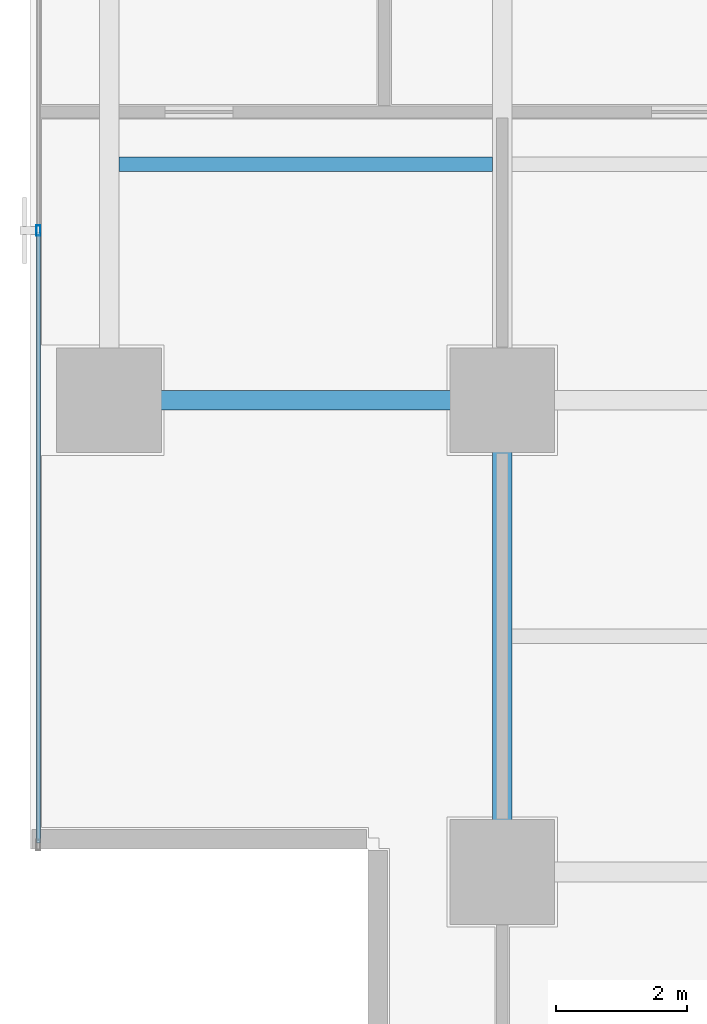
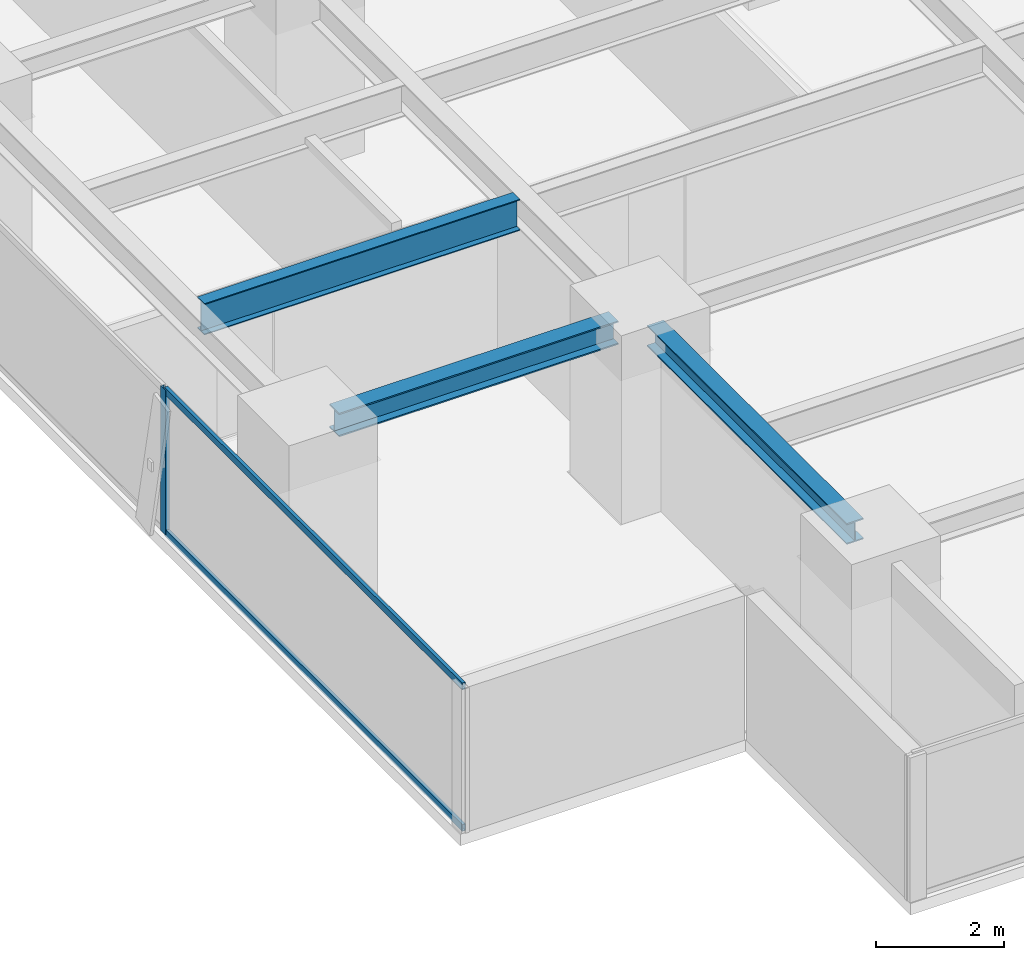
# One storey, part 3 of 28: 3 beams, 3 members, 1 element without a shape of its own.
"""IFC4 building model written with IfcOpenShell, lengths in metres."""

from ifc_helpers import new_model, si_unit, direction, frame, origin, origin_2d, place, context, subcontext, project, spatial, hollow_rectangle, i_section, extrude, source, transform, mapped, material, layer, layer_set, material_profile, profile_set, type_object, element, aggregate, save


model = new_model("IFC4")

# Units and contexts
model_context = context("Model", 3, precision=1e-05, world=origin(), true_north=direction((0.0, 1.0)))
body_context = subcontext(model_context, "Body", "Model", "MODEL_VIEW")
ifc_project = project(units=[si_unit("LENGTHUNIT", "METRE"), si_unit("AREAUNIT", "SQUARE_METRE"), si_unit("VOLUMEUNIT", "CUBIC_METRE"), si_unit("PLANEANGLEUNIT", "RADIAN"), si_unit("MASSUNIT", "GRAM", prefix="KILO")], contexts=[model_context])

# Site, building, storey
site_placement = place(None, origin())
site = spatial("IfcSite", under=ifc_project, at=site_placement, CompositionType="ELEMENT")
building_placement = place(site_placement, origin())
building = spatial("IfcBuilding", under=site, at=building_placement, Name="Sumidabori Civic Tower", CompositionType="ELEMENT")
storey_placement = place(building_placement, frame((0.0, 0.0, 174.800048828125)))
storey = spatial("IfcBuildingStorey", under=building, at=storey_placement, Name="L45", CompositionType="ELEMENT", Elevation=174.800048828125)

# Beams
ifc_material_1 = material(Name="Steel SN490", Category="steel")
ifc_material_profile_1 = material_profile(ifc_material_1, i_section(OverallWidth=0.300048828125, OverallDepth=0.39990234375, WebThickness=0.013427734375, FlangeThickness=0.02392578125, at=origin_2d()), Name="HE 400 B")
ifc_profile_set_1 = profile_set([ifc_material_profile_1], Name="Steel SN490")
beam_type_1 = type_object("IfcBeamType", Name="BM-GIRD-400", PredefinedType="BEAM", material=ifc_profile_set_1)
shared_shape_1 = source(origin(), body_context, "Body", "SweptSolid", [
    extrude(i_section(OverallWidth=0.300048828125, OverallDepth=0.39990234375, WebThickness=0.013427734375, FlangeThickness=0.02392578125, at=origin_2d()), origin(), (0.0, 0.0, 1.0), 6.239990234375),
])
beam_1_placement = place(storey_placement, frame((-16.800048828125, -17.52001953125, 3.179931640625), z_axis=(0.0, 1.0, 0.0), x_axis=(-1.0, 0.0, 0.0)))
element("IfcBeam", 1, at=beam_1_placement, inside=storey, type_object=beam_type_1, Name="Primary Girder L45 GY-22", PredefinedType="BEAM", context=body_context, shape_type="MappedRepresentation", body=[
    mapped(shared_shape_1, transform((0.0, 0.0, 0.0), x_axis=(1.0, 0.0, 0.0), y_axis=(0.0, 1.0, 0.0), z_axis=(0.0, 0.0, 1.0), scale=1.0)),
])
ifc_material_profile_2 = material_profile(ifc_material_1, i_section(OverallWidth=0.219970703125, OverallDepth=0.60009765625, WebThickness=0.011962890625, FlangeThickness=0.01904296875, at=origin_2d()), Name="IPE 600")
ifc_profile_set_2 = profile_set([ifc_material_profile_2], Name="Steel SN490")
beam_type_2 = type_object("IfcBeamType", Name="BM-JST-600", PredefinedType="JOIST", material=ifc_profile_set_2)
shared_shape_2 = source(origin(), body_context, "Body", "SweptSolid", [
    extrude(i_section(OverallWidth=0.219970703125, OverallDepth=0.60009765625, WebThickness=0.011962890625, FlangeThickness=0.01904296875, at=origin_2d()), origin(), (0.0, 0.0, 1.0), 5.699951171875),
])
beam_2_placement = place(storey_placement, frame((-22.64990234375, -7.199951171875, 3.079833984375), z_axis=(1.0, 0.0, 0.0), x_axis=(0.0, 1.0, 0.0)))
element("IfcBeam", 2, at=beam_2_placement, inside=storey, type_object=beam_type_2, Name="Outer Bay Floor Joist L45 JSTO-39", PredefinedType="JOIST", context=body_context, shape_type="MappedRepresentation", body=[
    mapped(shared_shape_2, transform((0.0, 0.0, 0.0), x_axis=(1.0, 0.0, 0.0), y_axis=(0.0, 1.0, 0.0), z_axis=(0.0, 0.0, 1.0), scale=1.0)),
])
ifc_material_profile_3 = material_profile(ifc_material_1, i_section(OverallWidth=0.300048828125, OverallDepth=0.449951171875, WebThickness=0.013916015625, FlangeThickness=0.02587890625, at=origin_2d()), Name="HE 450 B")
ifc_profile_set_3 = profile_set([ifc_material_profile_3], Name="Steel SN490")
beam_type_3 = type_object("IfcBeamType", Name="BM-GIRD-450", PredefinedType="BEAM", material=ifc_profile_set_3)
shared_shape_3 = source(origin(), body_context, "Body", "SweptSolid", [
    extrude(i_section(OverallWidth=0.300048828125, OverallDepth=0.449951171875, WebThickness=0.013916015625, FlangeThickness=0.02587890625, at=origin_2d()), origin(), (0.0, 0.0, 1.0), 5.0400390625),
])
beam_3_placement = place(storey_placement, frame((-22.320068359375, -10.800048828125, 3.155029296875), z_axis=(1.0, 0.0, 0.0), x_axis=(0.0, 1.0, 0.0)))
element("IfcBeam", 3, at=beam_3_placement, inside=storey, type_object=beam_type_3, Name="Primary Girder L45 GX-05", PredefinedType="BEAM", context=body_context, shape_type="MappedRepresentation", body=[
    mapped(shared_shape_3, transform((0.0, 0.0, 0.0), x_axis=(1.0, 0.0, 0.0), y_axis=(0.0, 1.0, 0.0), z_axis=(0.0, 0.0, 1.0), scale=1.0)),
])

# Curtain wall, members
ifc_material_2 = material(Name="Anodised Bronze Aluminium AW-6063-T6", Category="aluminium")
ifc_layer = layer(ifc_material_2, 0.179931640625, Name="Anodised Bronze Aluminium AW-6063-T6")
ifc_layer_set = layer_set([ifc_layer], Name="Anodised Bronze Aluminium AW-6063-T6")
curtain_wall_type = type_object("IfcCurtainWallType", Name="CW-SYS-3", PredefinedType="NOTDEFINED", material=ifc_layer_set)
curtain_wall_placement = place(storey_placement, origin())
curtain_wall = element("IfcCurtainWall", 4, at=curtain_wall_placement, inside=storey, type_object=curtain_wall_type, Name="Curtain Wall CW:L45:R10", PredefinedType="NOTDEFINED")
ifc_material_profile_4 = material_profile(ifc_material_2, hollow_rectangle(XDim=0.06494140625, YDim=0.159912109375, WallThickness=0.0048828125, at=origin_2d()), Name="ALU MULLION 160x65")
ifc_profile_set_4 = profile_set([ifc_material_profile_4], Name="Anodised Bronze Aluminium AW-6063-T6")
member_type_1 = type_object("IfcMemberType", Name="CW-MUL-160", PredefinedType="MULLION", material=ifc_profile_set_4)
shared_shape_4 = source(origin(), body_context, "Body", "SweptSolid", [
    extrude(hollow_rectangle(XDim=0.06494140625, YDim=0.159912109375, WallThickness=0.0048828125, at=origin_2d()), origin(), (0.0, 0.0, 1.0), 2.760009765625),
])
member_1_placement = place(storey_placement, frame((-23.8798828125, -8.2099609375, 0.0), z_axis=(0.0, 0.0, 1.0), x_axis=(1.0, 0.0, 0.0)))
member_1 = element("IfcMember", 5, at=member_1_placement, type_object=member_type_1, Name="CW-3 mullion 4", PredefinedType="MULLION", context=body_context, shape_type="MappedRepresentation", body=[
    mapped(shared_shape_4, transform((0.0, 0.0, 0.0), x_axis=(1.0, 0.0, 0.0), y_axis=(0.0, 1.0, 0.0), z_axis=(0.0, 0.0, 1.0), scale=1.0)),
])
ifc_material_profile_5 = material_profile(ifc_material_2, hollow_rectangle(XDim=0.06005859375, YDim=0.1298828125, WallThickness=0.0048828125, at=origin_2d()), Name="ALU TRANSOM 130x60")
ifc_profile_set_5 = profile_set([ifc_material_profile_5], Name="Anodised Bronze Aluminium AW-6063-T6")
member_type_2 = type_object("IfcMemberType", Name="CW-TRN-130", PredefinedType="USERDEFINED", material=ifc_profile_set_5)
shared_shape_5 = source(origin(), body_context, "Body", "SweptSolid", [
    extrude(hollow_rectangle(XDim=0.06005859375, YDim=0.1298828125, WallThickness=0.0048828125, at=origin_2d()), origin(), (0.0, 0.0, 1.0), 9.3125),
])
member_2_placement = place(storey_placement, frame((-23.8798828125, -8.242431640625, 0.030029296875), z_axis=(0.0, -1.0, 0.0), x_axis=(1.0, 0.0, 0.0)))
member_2 = element("IfcMember", 6, at=member_2_placement, type_object=member_type_2, Name="CW-3 transom 4.1", ObjectType="TRANSOM", PredefinedType="USERDEFINED", context=body_context, shape_type="MappedRepresentation", body=[
    mapped(shared_shape_5, transform((0.0, 0.0, 0.0), x_axis=(1.0, 0.0, 0.0), y_axis=(0.0, 1.0, 0.0), z_axis=(0.0, 0.0, 1.0), scale=1.0)),
])
member_3_placement = place(storey_placement, frame((-23.8798828125, -8.242431640625, 2.72998046875), z_axis=(0.0, -1.0, 0.0), x_axis=(1.0, 0.0, 0.0)))
member_3 = element("IfcMember", 7, at=member_3_placement, type_object=member_type_2, Name="CW-3 transom 4.2", ObjectType="TRANSOM", PredefinedType="USERDEFINED", context=body_context, shape_type="MappedRepresentation", body=[
    mapped(shared_shape_5, transform((0.0, 0.0, 0.0), x_axis=(1.0, 0.0, 0.0), y_axis=(0.0, 1.0, 0.0), z_axis=(0.0, 0.0, 1.0), scale=1.0)),
])
aggregate(curtain_wall, [member_1, member_2, member_3])

save(model, "model.ifc")
